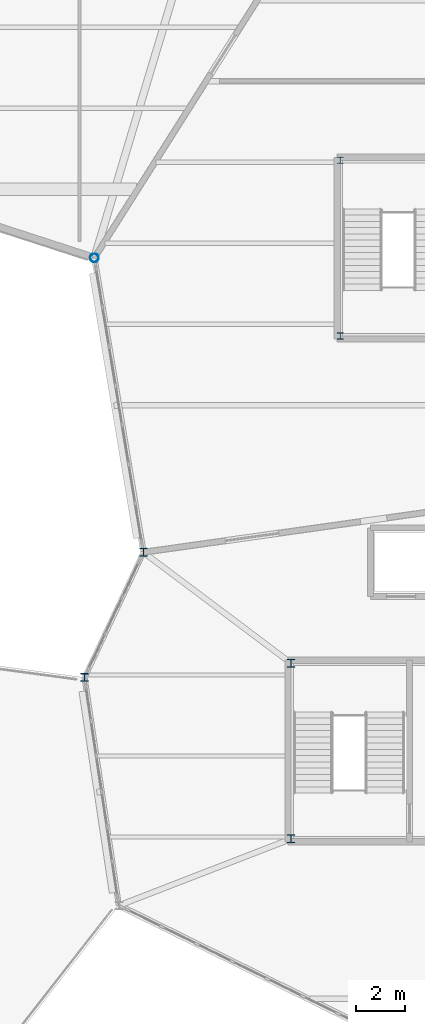
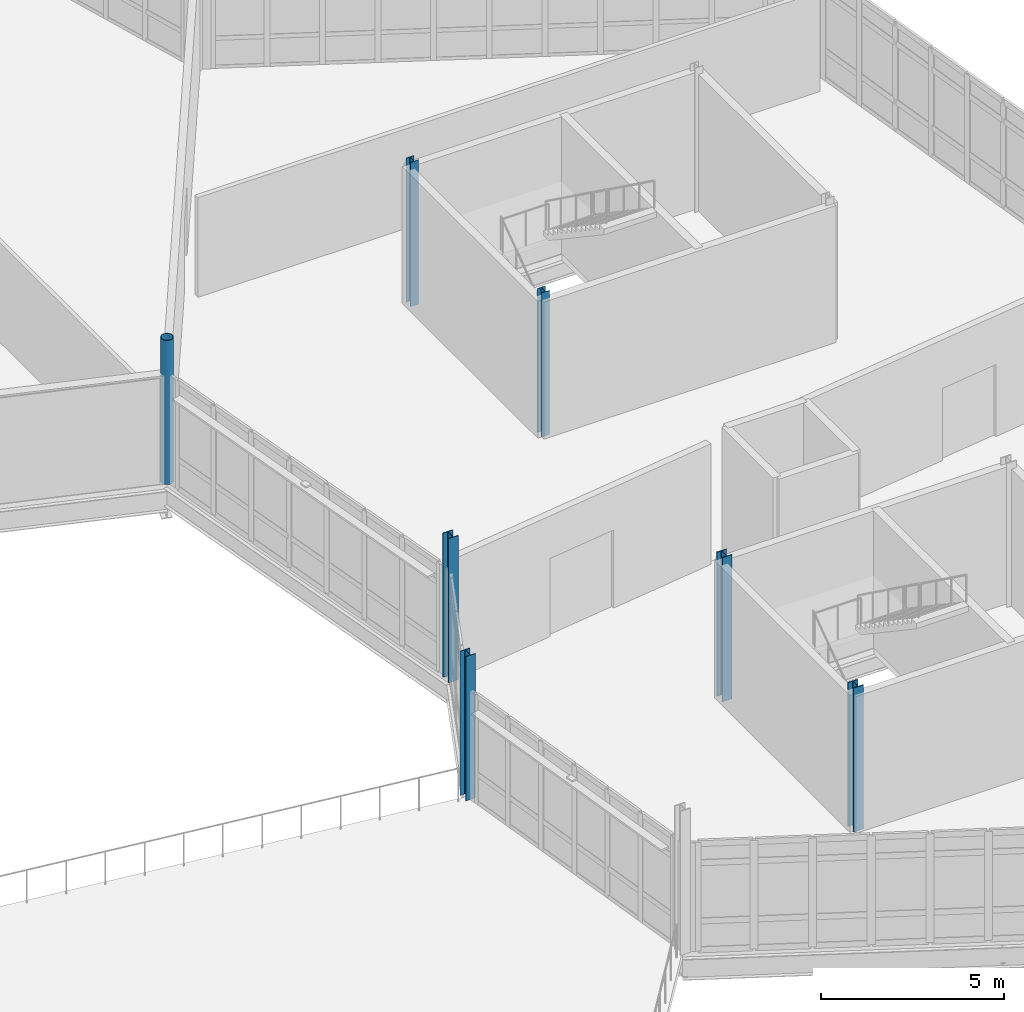
# One storey, part 4 of 114: 7 columns.
"""IFC4 building model written with IfcOpenShell, lengths in metres."""

from ifc_helpers import new_model, si_unit, direction, frame, origin, origin_2d, place, context, subcontext, project, spatial, hollow_circle, i_section, extrude, material, material_profile, profile_set, type_object, element, save


model = new_model("IFC4")

# Units and contexts
model_context = context("Model", 3, precision=1e-05, world=origin(), true_north=direction((0.0, 1.0)))
body_context = subcontext(model_context, "Body", "Model", "MODEL_VIEW")
ifc_project = project(units=[si_unit("LENGTHUNIT", "METRE"), si_unit("AREAUNIT", "SQUARE_METRE"), si_unit("VOLUMEUNIT", "CUBIC_METRE"), si_unit("PLANEANGLEUNIT", "RADIAN"), si_unit("MASSUNIT", "GRAM", prefix="KILO")], contexts=[model_context])

# Site, building, storey
site_placement = place(None, origin())
site = spatial("IfcSite", under=ifc_project, at=site_placement, CompositionType="ELEMENT")
building_placement = place(site_placement, origin())
building = spatial("IfcBuilding", under=site, at=building_placement, Name="Tameran Prism Museum", CompositionType="ELEMENT")
storey_placement = place(building_placement, frame((0.0, 0.0, 10.199951171875)))
storey = spatial("IfcBuildingStorey", under=building, at=storey_placement, Name="L02", CompositionType="ELEMENT", Elevation=10.199951171875)

# Columns
ifc_material_1 = material(Name="Steel Grade C350L0 (350 MPa)", Category="steel")
ifc_material_profile_1 = material_profile(ifc_material_1, hollow_circle(Radius=0.177734375, WallThickness=0.0126953125, at=origin_2d()))
ifc_profile_set_1 = profile_set([ifc_material_profile_1])
column_type_1 = type_object("IfcColumnType", Name="COL-CHS355", PredefinedType="COLUMN", material=ifc_profile_set_1)
column_placement = place(storey_placement, frame((50.0, 56.60009765625, 0.0), z_axis=(0.0, 0.0, 1.0), x_axis=(1.0, 0.0, 0.0)))
element("IfcColumn", 1, at=column_placement, inside=storey, type_object=column_type_1, Name="Column CV-26 L02", PredefinedType="COLUMN", context=body_context, shape_type="SweptSolid", body=[
    extrude(hollow_circle(Radius=0.177734375, WallThickness=0.0126953125, at=origin_2d()), origin(), (0.0, 0.0, 1.0), 4.800048828125),
])
ifc_material_2 = material(Name="Steel Grade 300PLUS (300 MPa)", Category="steel")
ifc_material_profile_2 = material_profile(ifc_material_2, i_section(OverallWidth=0.25390625, OverallDepth=0.25390625, WebThickness=0.008544921875, FlangeThickness=0.01416015625, FilletRadius=0.0126953125, at=origin_2d()))
ifc_profile_set_2 = profile_set([ifc_material_profile_2])
column_type_2 = type_object("IfcColumnType", Name="COL-UC250B", PredefinedType="COLUMN", material=ifc_profile_set_2)
for number, where, z_axis, x_axis, name in (
    (2, (60.02001953125, 53.419921875, 0.0), (0.0, 0.0, 1.0), (1.0, 0.0, 0.0), "Column CC-8-1 L02"),
    (3, (60.02001953125, 60.580078125, 0.0), (0.0, 0.0, 1.0), (1.0, 0.0, 0.0), "Column CC-8-4 L02"),
):
    element("IfcColumn", number, at=place(storey_placement, frame(where, z_axis=z_axis, x_axis=x_axis)), inside=storey, type_object=column_type_2, Name=name, PredefinedType="COLUMN", context=body_context, shape_type="SweptSolid", body=[
        extrude(i_section(OverallWidth=0.25390625, OverallDepth=0.25390625, WebThickness=0.008544921875, FlangeThickness=0.01416015625, FilletRadius=0.0126953125, at=origin_2d()), origin(), (0.0, 0.0, 1.0), 4.800048828125),
    ])
ifc_material_3 = material(Name="Steel Grade 350 (350 MPa)", Category="steel")
ifc_material_profile_3 = material_profile(ifc_material_3, i_section(OverallWidth=0.31103515625, OverallDepth=0.326904296875, WebThickness=0.015625, FlangeThickness=0.02490234375, FilletRadius=0.0166015625, at=origin_2d()))
ifc_profile_set_3 = profile_set([ifc_material_profile_3])
column_type_3 = type_object("IfcColumnType", Name="COL-UC310A", PredefinedType="COLUMN", material=ifc_profile_set_3)
for number, where, z_axis, x_axis, name in (
    (4, (49.60009765625, 39.5, 0.0), (0.0, 0.0, 1.0), (1.0, 0.0, 0.0), "Column CV-25 L02"),
    (5, (52.0, 44.60009765625, 0.0), (0.0, 0.0, 1.0), (1.0, 0.0, 0.0), "Column CV-28 L02"),
    (6, (58.02001953125, 32.919921875, 0.0), (0.0, 0.0, 1.0), (1.0, 0.0, 0.0), "Column CC-3-1 L02"),
    (7, (58.02001953125, 40.080078125, 0.0), (0.0, 0.0, 1.0), (1.0, 0.0, 0.0), "Column CC-3-4 L02"),
):
    element("IfcColumn", number, at=place(storey_placement, frame(where, z_axis=z_axis, x_axis=x_axis)), inside=storey, type_object=column_type_3, Name=name, PredefinedType="COLUMN", context=body_context, shape_type="SweptSolid", body=[
        extrude(i_section(OverallWidth=0.31103515625, OverallDepth=0.326904296875, WebThickness=0.015625, FlangeThickness=0.02490234375, FilletRadius=0.0166015625, at=origin_2d()), origin(), (0.0, 0.0, 1.0), 4.800048828125),
    ])

save(model, "model.ifc")
